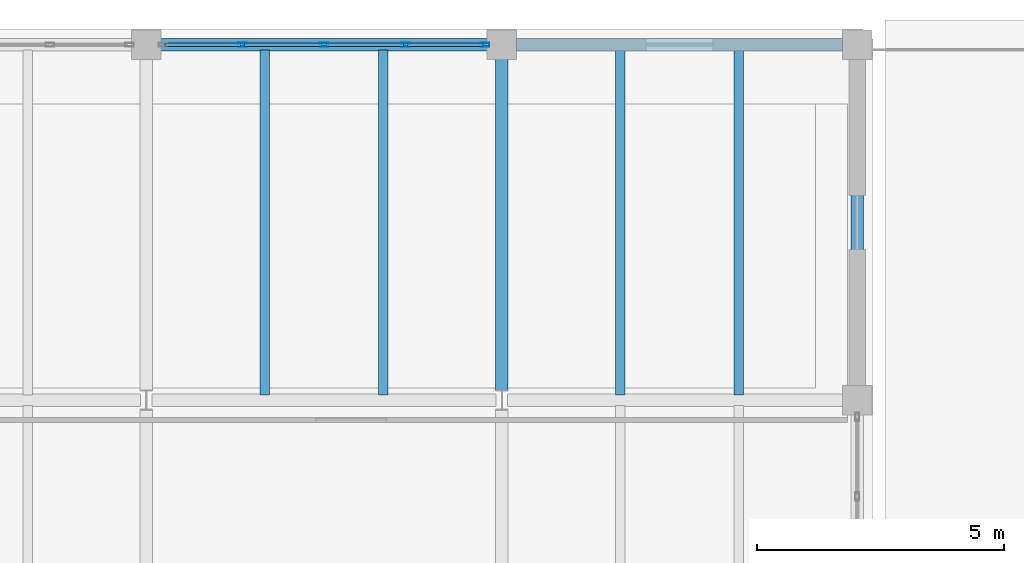
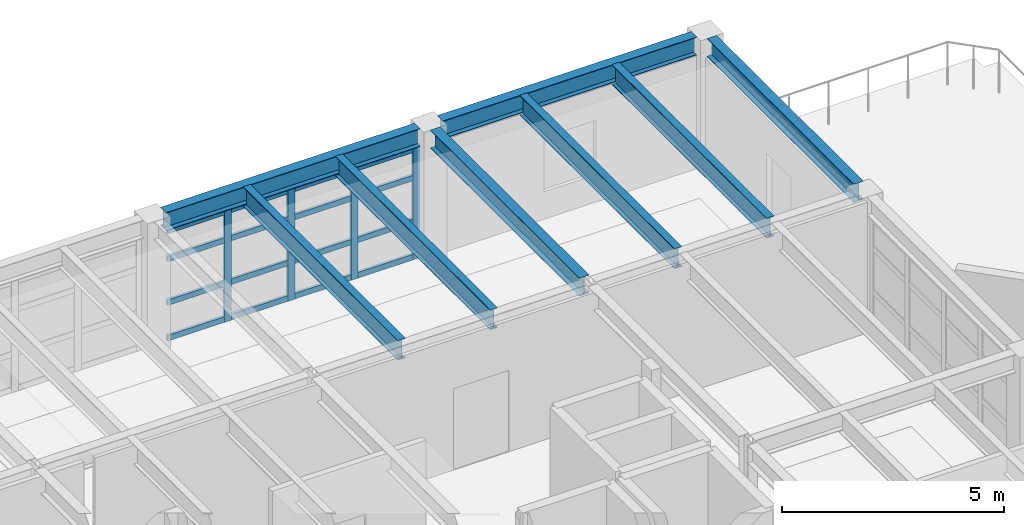
# One storey, part 10 of 19: 20 members, 8 beams, 1 element without a shape of its own.
"""IFC4 building model written with IfcOpenShell, lengths in metres."""

from ifc_helpers import new_model, si_unit, direction, frame, origin, origin_2d, place, context, subcontext, project, spatial, hollow_rectangle, i_section, extrude, material, layer, layer_set, material_profile, profile_set, type_object, element, aggregate, save


model = new_model("IFC4")

# Units and contexts
model_context = context("Model", 3, precision=1e-05, world=origin(), true_north=direction((0.0, 1.0)))
body_context = subcontext(model_context, "Body", "Model", "MODEL_VIEW")
ifc_project = project(units=[si_unit("LENGTHUNIT", "METRE"), si_unit("AREAUNIT", "SQUARE_METRE"), si_unit("VOLUMEUNIT", "CUBIC_METRE"), si_unit("PLANEANGLEUNIT", "RADIAN"), si_unit("MASSUNIT", "GRAM", prefix="KILO")], contexts=[model_context])

# Site, building, storey
site_placement = place(None, origin())
site = spatial("IfcSite", under=ifc_project, at=site_placement, CompositionType="ELEMENT")
building_placement = place(site_placement, origin())
building = spatial("IfcBuilding", under=site, at=building_placement, Name="Kandorven Conservatory and Botanical Research Centre", CompositionType="ELEMENT")
storey_placement = place(building_placement, frame((0.0, 0.0, 28.800048828125)))
storey = spatial("IfcBuildingStorey", under=building, at=storey_placement, Name="L07", CompositionType="ELEMENT", Elevation=28.800048828125)

# Beams
ifc_material_1 = material(Name="Steel S355 (IS 2062 E350)", Category="steel")
ifc_material_profile_1 = material_profile(ifc_material_1, i_section(OverallWidth=0.25, OverallDepth=0.5, WebThickness=0.010009765625, FlangeThickness=0.0146484375, at=origin_2d()))
ifc_profile_set_1 = profile_set([ifc_material_profile_1], Name="Steel S355 (IS 2062 E350)")
beam_type_1 = type_object("IfcBeamType", Name="Beam_FG-02", PredefinedType="USERDEFINED", material=ifc_profile_set_1)
for number, where, z_axis, x_axis, name in (
    (1, (20.68994140625, 34.800048828125, 3.369873046875), (1.0, 0.0, 0.0), (0.0, 1.0, 0.0), "Primary girder FG-02 TWR L07"),
    (2, (27.889892578125, 34.800048828125, 3.369873046875), (1.0, 0.0, 0.0), (0.0, 1.0, 0.0), "Primary girder FG-02 TWR L07"),
):
    element("IfcBeam", number, at=place(storey_placement, frame(where, z_axis=z_axis, x_axis=x_axis)), inside=storey, type_object=beam_type_1, Name=name, ObjectType="GIRDER", PredefinedType="USERDEFINED", context=body_context, shape_type="SweptSolid", body=[
        extrude(i_section(OverallWidth=0.25, OverallDepth=0.5, WebThickness=0.010009765625, FlangeThickness=0.0146484375, at=origin_2d()), origin(), (0.0, 0.0, 1.0), 6.6201171875),
    ])
beam_1_placement = place(storey_placement, frame((27.60009765625, 27.7900390625, 3.369873046875), z_axis=(0.0, 1.0, 0.0), x_axis=(-1.0, 0.0, 0.0)))
element("IfcBeam", 3, at=beam_1_placement, inside=storey, type_object=beam_type_1, Name="Primary girder FG-02 TWR L07", ObjectType="GIRDER", PredefinedType="USERDEFINED", context=body_context, shape_type="SweptSolid", body=[
    extrude(i_section(OverallWidth=0.25, OverallDepth=0.5, WebThickness=0.010009765625, FlangeThickness=0.0146484375, at=origin_2d()), origin(), (0.0, 0.0, 1.0), 6.719970703125),
])
beam_2_placement = place(storey_placement, frame((34.800048828125, 27.889892578125, 3.369873046875), z_axis=(0.0, 1.0, 0.0), x_axis=(-1.0, 0.0, 0.0)))
element("IfcBeam", 4, at=beam_2_placement, inside=storey, type_object=beam_type_1, Name="Primary girder FG-02 TWR L07", ObjectType="GIRDER", PredefinedType="USERDEFINED", context=body_context, shape_type="SweptSolid", body=[
    extrude(i_section(OverallWidth=0.25, OverallDepth=0.5, WebThickness=0.010009765625, FlangeThickness=0.0146484375, at=origin_2d()), origin(), (0.0, 0.0, 1.0), 6.6201171875),
])
ifc_material_2 = material(Name="Steel S355 (IS 2062 E350)", Category="steel")
ifc_material_profile_2 = material_profile(ifc_material_2, i_section(OverallWidth=0.18994140625, OverallDepth=0.550048828125, WebThickness=0.01123046875, FlangeThickness=0.019287109375, at=origin_2d()))
ifc_profile_set_2 = profile_set([ifc_material_profile_2], Name="Steel S355 (IS 2062 E350)")
beam_type_2 = type_object("IfcBeamType", Name="Beam_SB-02", PredefinedType="BEAM", material=ifc_profile_set_2)
for number, where, z_axis, x_axis, name in (
    (5, (22.800048828125, 27.7099609375, 3.344970703125), (0.0, 1.0, 0.0), (-1.0, 0.0, 0.0), "Composite secondary beam SB-02 TWR L07"),
    (6, (25.199951171875, 27.7099609375, 3.344970703125), (0.0, 1.0, 0.0), (-1.0, 0.0, 0.0), "Composite secondary beam SB-02 TWR L07"),
    (7, (30.0, 27.7099609375, 3.344970703125), (0.0, 1.0, 0.0), (-1.0, 0.0, 0.0), "Composite secondary beam SB-02 TWR L07"),
    (8, (32.39990234375, 27.7099609375, 3.344970703125), (0.0, 1.0, 0.0), (-1.0, 0.0, 0.0), "Composite secondary beam SB-02 TWR L07"),
):
    element("IfcBeam", number, at=place(storey_placement, frame(where, z_axis=z_axis, x_axis=x_axis)), inside=storey, type_object=beam_type_2, Name=name, PredefinedType="BEAM", context=body_context, shape_type="SweptSolid", body=[
        extrude(i_section(OverallWidth=0.18994140625, OverallDepth=0.550048828125, WebThickness=0.01123046875, FlangeThickness=0.019287109375, at=origin_2d()), origin(), (0.0, 0.0, 1.0), 6.97998046875),
    ])

# Curtain wall, members
ifc_material_3 = material(Name="Bronze anodised thermally broken aluminium", Category="aluminium")
ifc_layer = layer(ifc_material_3, 0.179931640625)
ifc_layer_set = layer_set([ifc_layer], Name="Bronze anodised thermally broken aluminium")
curtain_wall_type = type_object("IfcCurtainWallType", Name="CW_Unitised", PredefinedType="USERDEFINED", material=ifc_layer_set)
curtain_wall_placement = place(storey_placement, origin())
curtain_wall = element("IfcCurtainWall", 9, at=curtain_wall_placement, inside=storey, type_object=curtain_wall_type, Name="Tower laboratory curtain wall CW-TWR-N-L07-3", ObjectType="UNITISED GLAZING", PredefinedType="USERDEFINED")
ifc_material_4 = material(Name="Bronze anodised thermally broken aluminium", Category="aluminium")
ifc_material_profile_3 = material_profile(ifc_material_4, hollow_rectangle(XDim=0.080078125, YDim=0.179931640625, WallThickness=0.006103515625, at=origin_2d()))
ifc_profile_set_3 = profile_set([ifc_material_profile_3], Name="Bronze anodised thermally broken aluminium")
member_type_1 = type_object("IfcMemberType", Name="CW_Mullion", PredefinedType="MULLION", material=ifc_profile_set_3)
member_1_placement = place(storey_placement, frame((22.35009765625, 34.800048828125, 0.0), z_axis=(0.0, 0.0, 1.0), x_axis=(0.0, 1.0, 0.0)))
member_1 = element("IfcMember", 10, at=member_1_placement, type_object=member_type_1, Name="CW-01 mullion 2", PredefinedType="MULLION", context=body_context, shape_type="SweptSolid", body=[
    extrude(hollow_rectangle(XDim=0.080078125, YDim=0.179931640625, WallThickness=0.006103515625, at=origin_2d()), origin(), (0.0, 0.0, 1.0), 3.099853515625),
])
member_2_placement = place(storey_placement, frame((24.0, 34.800048828125, 0.0), z_axis=(0.0, 0.0, 1.0), x_axis=(0.0, 1.0, 0.0)))
member_2 = element("IfcMember", 11, at=member_2_placement, type_object=member_type_1, Name="CW-01 mullion 3", PredefinedType="MULLION", context=body_context, shape_type="SweptSolid", body=[
    extrude(hollow_rectangle(XDim=0.080078125, YDim=0.179931640625, WallThickness=0.006103515625, at=origin_2d()), origin(), (0.0, 0.0, 1.0), 3.099853515625),
])
member_3_placement = place(storey_placement, frame((25.64990234375, 34.800048828125, 0.0), z_axis=(0.0, 0.0, 1.0), x_axis=(0.0, 1.0, 0.0)))
member_3 = element("IfcMember", 12, at=member_3_placement, type_object=member_type_1, Name="CW-01 mullion 4", PredefinedType="MULLION", context=body_context, shape_type="SweptSolid", body=[
    extrude(hollow_rectangle(XDim=0.080078125, YDim=0.179931640625, WallThickness=0.006103515625, at=origin_2d()), origin(), (0.0, 0.0, 1.0), 3.099853515625),
])
member_4_placement = place(storey_placement, frame((27.260009765625, 34.800048828125, 0.0), z_axis=(0.0, 0.0, 1.0), x_axis=(0.0, 1.0, 0.0)))
member_4 = element("IfcMember", 13, at=member_4_placement, type_object=member_type_1, Name="CW-01 mullion 5", PredefinedType="MULLION", context=body_context, shape_type="SweptSolid", body=[
    extrude(hollow_rectangle(XDim=0.080078125, YDim=0.179931640625, WallThickness=0.006103515625, at=origin_2d()), origin(), (0.0, 0.0, 1.0), 3.099853515625),
])
ifc_material_5 = material(Name="Bronze anodised thermally broken aluminium", Category="aluminium")
ifc_material_profile_4 = material_profile(ifc_material_5, hollow_rectangle(XDim=0.074951171875, YDim=0.14990234375, WallThickness=0.006103515625, at=origin_2d()))
ifc_profile_set_4 = profile_set([ifc_material_profile_4], Name="Bronze anodised thermally broken aluminium")
member_type_2 = type_object("IfcMemberType", Name="CW_Transom", PredefinedType="USERDEFINED", material=ifc_profile_set_4)
member_5_placement = place(storey_placement, frame((20.780029296875, 34.800048828125, 0.074951171875), z_axis=(1.0, 0.0, 0.0), x_axis=(0.0, 1.0, 0.0)))
member_5 = element("IfcMember", 14, at=member_5_placement, type_object=member_type_2, Name="CW-01 transom 1.1", ObjectType="TRANSOM", PredefinedType="USERDEFINED", context=body_context, shape_type="SweptSolid", body=[
    extrude(hollow_rectangle(XDim=0.074951171875, YDim=0.14990234375, WallThickness=0.006103515625, at=origin_2d()), origin(), (0.0, 0.0, 1.0), 1.530029296875),
])
member_6_placement = place(storey_placement, frame((20.780029296875, 34.800048828125, 1.050048828125), z_axis=(1.0, 0.0, 0.0), x_axis=(0.0, 1.0, 0.0)))
member_6 = element("IfcMember", 15, at=member_6_placement, type_object=member_type_2, Name="CW-01 transom 1.2", ObjectType="TRANSOM", PredefinedType="USERDEFINED", context=body_context, shape_type="SweptSolid", body=[
    extrude(hollow_rectangle(XDim=0.074951171875, YDim=0.14990234375, WallThickness=0.006103515625, at=origin_2d()), origin(), (0.0, 0.0, 1.0), 1.530029296875),
])
member_7_placement = place(storey_placement, frame((20.780029296875, 34.800048828125, 2.25), z_axis=(1.0, 0.0, 0.0), x_axis=(0.0, 1.0, 0.0)))
member_7 = element("IfcMember", 16, at=member_7_placement, type_object=member_type_2, Name="CW-01 transom 1.3", ObjectType="TRANSOM", PredefinedType="USERDEFINED", context=body_context, shape_type="SweptSolid", body=[
    extrude(hollow_rectangle(XDim=0.074951171875, YDim=0.14990234375, WallThickness=0.006103515625, at=origin_2d()), origin(), (0.0, 0.0, 1.0), 1.530029296875),
])
member_8_placement = place(storey_placement, frame((20.780029296875, 34.800048828125, 3.02490234375), z_axis=(1.0, 0.0, 0.0), x_axis=(0.0, 1.0, 0.0)))
member_8 = element("IfcMember", 17, at=member_8_placement, type_object=member_type_2, Name="CW-01 transom 1.4", ObjectType="TRANSOM", PredefinedType="USERDEFINED", context=body_context, shape_type="SweptSolid", body=[
    extrude(hollow_rectangle(XDim=0.074951171875, YDim=0.14990234375, WallThickness=0.006103515625, at=origin_2d()), origin(), (0.0, 0.0, 1.0), 1.530029296875),
])
member_9_placement = place(storey_placement, frame((22.389892578125, 34.800048828125, 0.074951171875), z_axis=(1.0, 0.0, 0.0), x_axis=(0.0, 1.0, 0.0)))
member_9 = element("IfcMember", 18, at=member_9_placement, type_object=member_type_2, Name="CW-01 transom 2.1", ObjectType="TRANSOM", PredefinedType="USERDEFINED", context=body_context, shape_type="SweptSolid", body=[
    extrude(hollow_rectangle(XDim=0.074951171875, YDim=0.14990234375, WallThickness=0.006103515625, at=origin_2d()), origin(), (0.0, 0.0, 1.0), 1.570068359375),
])
member_10_placement = place(storey_placement, frame((22.389892578125, 34.800048828125, 1.050048828125), z_axis=(1.0, 0.0, 0.0), x_axis=(0.0, 1.0, 0.0)))
member_10 = element("IfcMember", 19, at=member_10_placement, type_object=member_type_2, Name="CW-01 transom 2.2", ObjectType="TRANSOM", PredefinedType="USERDEFINED", context=body_context, shape_type="SweptSolid", body=[
    extrude(hollow_rectangle(XDim=0.074951171875, YDim=0.14990234375, WallThickness=0.006103515625, at=origin_2d()), origin(), (0.0, 0.0, 1.0), 1.570068359375),
])
member_11_placement = place(storey_placement, frame((22.389892578125, 34.800048828125, 2.25), z_axis=(1.0, 0.0, 0.0), x_axis=(0.0, 1.0, 0.0)))
member_11 = element("IfcMember", 20, at=member_11_placement, type_object=member_type_2, Name="CW-01 transom 2.3", ObjectType="TRANSOM", PredefinedType="USERDEFINED", context=body_context, shape_type="SweptSolid", body=[
    extrude(hollow_rectangle(XDim=0.074951171875, YDim=0.14990234375, WallThickness=0.006103515625, at=origin_2d()), origin(), (0.0, 0.0, 1.0), 1.570068359375),
])
member_12_placement = place(storey_placement, frame((22.389892578125, 34.800048828125, 3.02490234375), z_axis=(1.0, 0.0, 0.0), x_axis=(0.0, 1.0, 0.0)))
member_12 = element("IfcMember", 21, at=member_12_placement, type_object=member_type_2, Name="CW-01 transom 2.4", ObjectType="TRANSOM", PredefinedType="USERDEFINED", context=body_context, shape_type="SweptSolid", body=[
    extrude(hollow_rectangle(XDim=0.074951171875, YDim=0.14990234375, WallThickness=0.006103515625, at=origin_2d()), origin(), (0.0, 0.0, 1.0), 1.570068359375),
])
member_13_placement = place(storey_placement, frame((24.0400390625, 34.800048828125, 0.074951171875), z_axis=(1.0, 0.0, 0.0), x_axis=(0.0, 1.0, 0.0)))
member_13 = element("IfcMember", 22, at=member_13_placement, type_object=member_type_2, Name="CW-01 transom 3.1", ObjectType="TRANSOM", PredefinedType="USERDEFINED", context=body_context, shape_type="SweptSolid", body=[
    extrude(hollow_rectangle(XDim=0.074951171875, YDim=0.14990234375, WallThickness=0.006103515625, at=origin_2d()), origin(), (0.0, 0.0, 1.0), 1.570068359375),
])
member_14_placement = place(storey_placement, frame((24.0400390625, 34.800048828125, 1.050048828125), z_axis=(1.0, 0.0, 0.0), x_axis=(0.0, 1.0, 0.0)))
member_14 = element("IfcMember", 23, at=member_14_placement, type_object=member_type_2, Name="CW-01 transom 3.2", ObjectType="TRANSOM", PredefinedType="USERDEFINED", context=body_context, shape_type="SweptSolid", body=[
    extrude(hollow_rectangle(XDim=0.074951171875, YDim=0.14990234375, WallThickness=0.006103515625, at=origin_2d()), origin(), (0.0, 0.0, 1.0), 1.570068359375),
])
member_15_placement = place(storey_placement, frame((24.0400390625, 34.800048828125, 2.25), z_axis=(1.0, 0.0, 0.0), x_axis=(0.0, 1.0, 0.0)))
member_15 = element("IfcMember", 24, at=member_15_placement, type_object=member_type_2, Name="CW-01 transom 3.3", ObjectType="TRANSOM", PredefinedType="USERDEFINED", context=body_context, shape_type="SweptSolid", body=[
    extrude(hollow_rectangle(XDim=0.074951171875, YDim=0.14990234375, WallThickness=0.006103515625, at=origin_2d()), origin(), (0.0, 0.0, 1.0), 1.570068359375),
])
member_16_placement = place(storey_placement, frame((24.0400390625, 34.800048828125, 3.02490234375), z_axis=(1.0, 0.0, 0.0), x_axis=(0.0, 1.0, 0.0)))
member_16 = element("IfcMember", 25, at=member_16_placement, type_object=member_type_2, Name="CW-01 transom 3.4", ObjectType="TRANSOM", PredefinedType="USERDEFINED", context=body_context, shape_type="SweptSolid", body=[
    extrude(hollow_rectangle(XDim=0.074951171875, YDim=0.14990234375, WallThickness=0.006103515625, at=origin_2d()), origin(), (0.0, 0.0, 1.0), 1.570068359375),
])
member_17_placement = place(storey_placement, frame((25.68994140625, 34.800048828125, 0.074951171875), z_axis=(1.0, 0.0, 0.0), x_axis=(0.0, 1.0, 0.0)))
member_17 = element("IfcMember", 26, at=member_17_placement, type_object=member_type_2, Name="CW-01 transom 4.1", ObjectType="TRANSOM", PredefinedType="USERDEFINED", context=body_context, shape_type="SweptSolid", body=[
    extrude(hollow_rectangle(XDim=0.074951171875, YDim=0.14990234375, WallThickness=0.006103515625, at=origin_2d()), origin(), (0.0, 0.0, 1.0), 1.530029296875),
])
member_18_placement = place(storey_placement, frame((25.68994140625, 34.800048828125, 1.050048828125), z_axis=(1.0, 0.0, 0.0), x_axis=(0.0, 1.0, 0.0)))
member_18 = element("IfcMember", 27, at=member_18_placement, type_object=member_type_2, Name="CW-01 transom 4.2", ObjectType="TRANSOM", PredefinedType="USERDEFINED", context=body_context, shape_type="SweptSolid", body=[
    extrude(hollow_rectangle(XDim=0.074951171875, YDim=0.14990234375, WallThickness=0.006103515625, at=origin_2d()), origin(), (0.0, 0.0, 1.0), 1.530029296875),
])
member_19_placement = place(storey_placement, frame((25.68994140625, 34.800048828125, 2.25), z_axis=(1.0, 0.0, 0.0), x_axis=(0.0, 1.0, 0.0)))
member_19 = element("IfcMember", 28, at=member_19_placement, type_object=member_type_2, Name="CW-01 transom 4.3", ObjectType="TRANSOM", PredefinedType="USERDEFINED", context=body_context, shape_type="SweptSolid", body=[
    extrude(hollow_rectangle(XDim=0.074951171875, YDim=0.14990234375, WallThickness=0.006103515625, at=origin_2d()), origin(), (0.0, 0.0, 1.0), 1.530029296875),
])
member_20_placement = place(storey_placement, frame((25.68994140625, 34.800048828125, 3.02490234375), z_axis=(1.0, 0.0, 0.0), x_axis=(0.0, 1.0, 0.0)))
member_20 = element("IfcMember", 29, at=member_20_placement, type_object=member_type_2, Name="CW-01 transom 4.4", ObjectType="TRANSOM", PredefinedType="USERDEFINED", context=body_context, shape_type="SweptSolid", body=[
    extrude(hollow_rectangle(XDim=0.074951171875, YDim=0.14990234375, WallThickness=0.006103515625, at=origin_2d()), origin(), (0.0, 0.0, 1.0), 1.530029296875),
])
aggregate(curtain_wall, [member_1, member_2, member_3, member_4, member_5, member_6, member_7, member_8, member_9, member_10, member_11, member_12, member_13, member_14, member_15, member_16, member_17, member_18, member_19, member_20])

save(model, "model.ifc")
